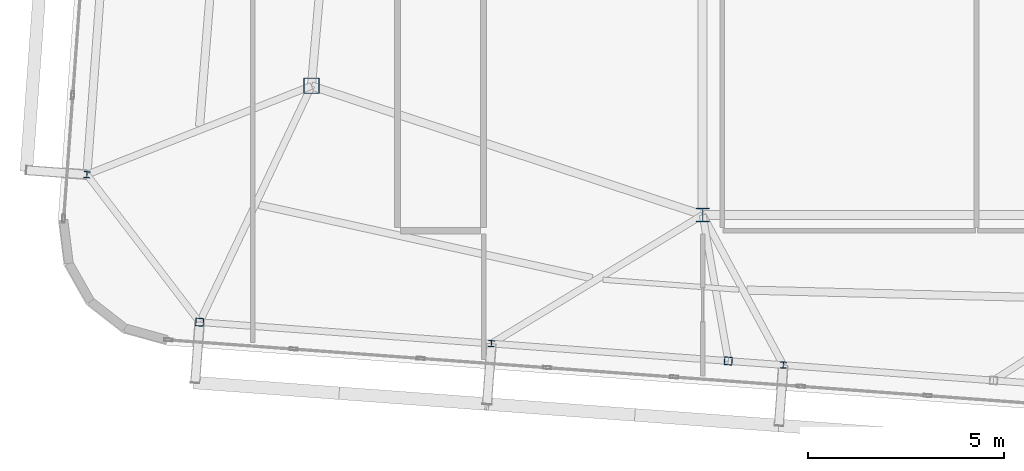
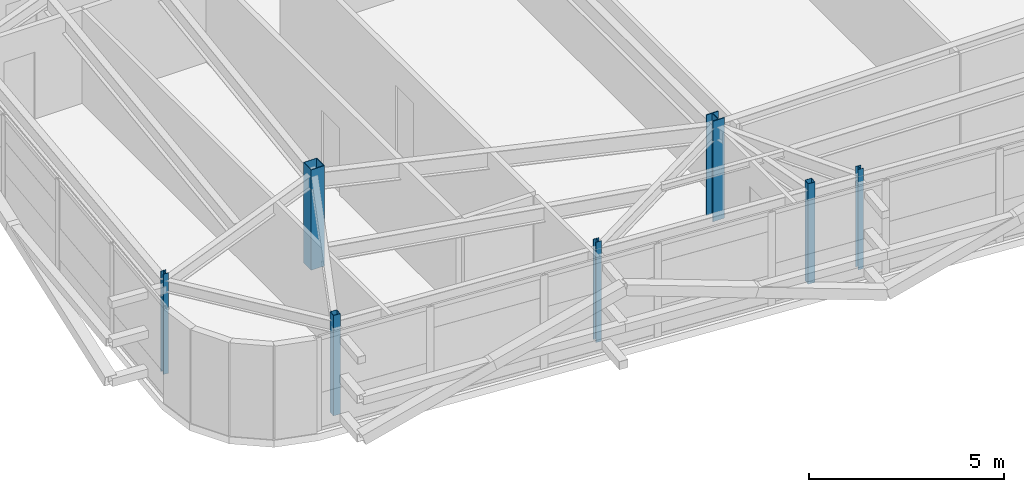
# One storey, part 1 of 42: 7 columns.
"""IFC4 building model written with IfcOpenShell, lengths in metres."""

import ifcopenshell
import ifcopenshell.guid

model = None  # the IFC model being written
_history = None  # IfcOwnerHistory: only IFC2X3 demands one
_inside = {}  # id of a spatial element -> (the spatial element, [elements in it])
_under = {}  # id of a project, library or spatial element -> (it, [spatial elements below it])
_declared = {}  # id of a project -> (the project, [libraries it declares])
_typed = {}  # id of a type object -> (the type object, [elements of that type])
_made_of = {}  # id of a material, layer set ... -> (it, [elements and type objects made of it])


def new_model(schema):
    """Start an empty IFC model of exactly this schema.

    Asked for "IFC4X3", IfcOpenShell would pick the latest addendum, in which some entities
    have other attributes; the version numbers below select the first issue.
    IFC2X3 requires an IfcOwnerHistory on every rooted entity: one is made here for all.
    """
    global model, _history
    if schema == "IFC4X3":
        model = ifcopenshell.file(schema_version=(4, 3, 0, 0))
    else:
        model = ifcopenshell.file(schema=schema)
    _inside.clear()
    _under.clear()
    _declared.clear()
    _typed.clear()
    _made_of.clear()
    _history = None
    if model.schema == "IFC2X3":
        org = make("IfcOrganization", Name="unknown")
        user = make(
            "IfcPersonAndOrganization",
            ThePerson=make("IfcPerson", FamilyName="unknown"),
            TheOrganization=org,
        )
        app = make(
            "IfcApplication",
            ApplicationDeveloper=org,
            Version="unknown",
            ApplicationFullName="unknown",
            ApplicationIdentifier="unknown",
        )
        _history = make(
            "IfcOwnerHistory",
            OwningUser=user,
            OwningApplication=app,
            ChangeAction="ADDED",
            CreationDate=0,
        )
    return model


def make(cls, **values):
    """One entity of the class cls with the attributes given. An attribute that is None is left unset."""
    return model.create_entity(
        cls, **{name: value for name, value in values.items() if value is not None}
    )


def rooted(cls, **values):
    """An entity with a GlobalId (a new one), such as an element, a storey or a relation."""
    return make(cls, GlobalId=ifcopenshell.guid.new(), OwnerHistory=_history, **values)


def si_unit(unit_type, name, prefix=None):
    """IfcSIUnit, for example si_unit("LENGTHUNIT", "METRE", prefix="MILLI")."""
    return make("IfcSIUnit", UnitType=unit_type, Prefix=prefix, Name=name)


def assignment(units):
    """IfcUnitAssignment: the units of a project."""
    return None if units is None else make("IfcUnitAssignment", Units=units)


def point(xyz):
    """IfcCartesianPoint."""
    return None if xyz is None else make("IfcCartesianPoint", Coordinates=xyz)


def direction(xyz):
    """IfcDirection."""
    return None if xyz is None else make("IfcDirection", DirectionRatios=xyz)


def frame(location, z_axis=None, x_axis=None):
    """IfcAxis2Placement3D, a coordinate frame: its origin and axes. An axis left out is left unset."""
    return make(
        "IfcAxis2Placement3D",
        Location=point(location),
        Axis=direction(z_axis),
        RefDirection=direction(x_axis),
    )


def frame_2d(location, x_axis=None):
    """IfcAxis2Placement2D, a coordinate frame in the plane: its origin and x axis."""
    return make(
        "IfcAxis2Placement2D", Location=point(location), RefDirection=direction(x_axis)
    )


def origin():
    """The frame at (0, 0, 0) with its axes left unset."""
    return frame((0.0, 0.0, 0.0))


def origin_2d():
    """The frame at (0, 0) in the plane with its x axis left unset."""
    return frame_2d((0.0, 0.0))


def place(relative_to, where):
    """IfcLocalPlacement: puts the frame where relative to a parent placement (None: the world)."""
    return make(
        "IfcLocalPlacement", PlacementRelTo=relative_to, RelativePlacement=where
    )


def context(
    kind, dimensions, precision=None, world=None, true_north=None, identifier=None
):
    """IfcGeometricRepresentationContext, for example the 3D "Model" context."""
    return make(
        "IfcGeometricRepresentationContext",
        ContextIdentifier=identifier,
        ContextType=kind,
        CoordinateSpaceDimension=dimensions,
        Precision=precision,
        WorldCoordinateSystem=world,
        TrueNorth=true_north,
    )


def subcontext(parent, identifier, kind, view, scale=None):
    """IfcGeometricRepresentationSubContext, for example "Body" below "Model"."""
    return make(
        "IfcGeometricRepresentationSubContext",
        ContextIdentifier=identifier,
        ContextType=kind,
        ParentContext=parent,
        TargetScale=scale,
        TargetView=view,
    )


def project(units=None, contexts=None):
    """IfcProject with its units and contexts."""
    return rooted(
        "IfcProject",
        Name="project",
        RepresentationContexts=contexts,
        UnitsInContext=assignment(units),
    )


def spatial(cls, under=None, at=None, **own):
    """A site, building, storey or space (cls), placed at a placement, below another one or the project."""
    s = rooted(cls, ObjectPlacement=at, **own)
    if under is not None:
        _under.setdefault(under.id(), (under, []))[1].append(s)
    return s


def profile(cls, at=None, kind="AREA", **sizes):
    """A parametric profile (cls). Its sizes go by their IFC names, for example OverallWidth=200.0."""
    return make(cls, ProfileType=kind, Position=at, **sizes)


def hollow_rectangle(**sizes):
    """IfcRectangleHollowProfileDef."""
    return profile("IfcRectangleHollowProfileDef", **sizes)


def i_section(**sizes):
    """IfcIShapeProfileDef."""
    return profile("IfcIShapeProfileDef", **sizes)


def extrude(swept, where, along, depth):
    """IfcExtrudedAreaSolid: the profile swept, set in the frame where, extruded along a direction by depth."""
    return make(
        "IfcExtrudedAreaSolid",
        SweptArea=swept,
        Position=where,
        ExtrudedDirection=direction(along),
        Depth=depth,
    )


def shape(context_of_items, identifier, shape_type, items):
    """IfcShapeRepresentation: the items that make up one representation, for example the "Body"."""
    return make(
        "IfcShapeRepresentation",
        ContextOfItems=context_of_items,
        RepresentationIdentifier=identifier,
        RepresentationType=shape_type,
        Items=items,
    )


def source(mapping_origin, context_of_items, identifier, shape_type, items):
    """IfcRepresentationMap: a shape defined once, which mapped items show again and again."""
    return make(
        "IfcRepresentationMap",
        MappingOrigin=mapping_origin,
        MappedRepresentation=shape(context_of_items, identifier, shape_type, items),
    )


def transform(
    local_origin,
    x_axis=None,
    y_axis=None,
    z_axis=None,
    scale=None,
    scale2=None,
    scale3=None,
    uniform=True,
):
    """IfcCartesianTransformationOperator3D, or its non-uniform kind. x_axis, y_axis, z_axis: its Axis1, 2, 3."""
    if uniform:
        return make(
            "IfcCartesianTransformationOperator3D",
            Axis1=direction(x_axis),
            Axis2=direction(y_axis),
            LocalOrigin=point(local_origin),
            Scale=scale,
            Axis3=direction(z_axis),
        )
    return make(
        "IfcCartesianTransformationOperator3DnonUniform",
        Axis1=direction(x_axis),
        Axis2=direction(y_axis),
        LocalOrigin=point(local_origin),
        Scale=scale,
        Axis3=direction(z_axis),
        Scale2=scale2,
        Scale3=scale3,
    )


def mapped(mapping_source, mapping_target):
    """IfcMappedItem: shows the shape of a source again, moved by a transform."""
    return make(
        "IfcMappedItem", MappingSource=mapping_source, MappingTarget=mapping_target
    )


def material(Name=None, Category=None):
    """IfcMaterial."""
    return make("IfcMaterial", Name=Name, Category=Category)


def material_profile(
    of_material, cross_section, Name=None, Category=None, Priority=None
):
    """IfcMaterialProfile: a cross section and its material."""
    return make(
        "IfcMaterialProfile",
        Name=Name,
        Material=of_material,
        Profile=cross_section,
        Priority=Priority,
        Category=Category,
    )


def profile_set(profiles, Name=None, composite=None):
    """IfcMaterialProfileSet."""
    return make(
        "IfcMaterialProfileSet",
        Name=Name,
        MaterialProfiles=profiles,
        CompositeProfile=composite,
    )


def made_of(thing, what):
    """Note that an element or type object is made of a material, layer set ...; save() writes the relation."""
    if what is not None:
        _made_of.setdefault(what.id(), (what, []))[1].append(thing)
    return thing


def type_object(cls, material=None, **own):
    """A type object (cls), such as IfcWallType, which elements share."""
    return made_of(rooted(cls, **own), material)


def element(
    cls,
    number,
    at=None,
    inside=None,
    cuts=None,
    type_object=None,
    material=None,
    context=None,
    identifier="Body",
    shape_type=None,
    held_by="IfcProductDefinitionShape",
    body=None,
    shapes=None,
    **own,
):
    """One element of the class cls, such as IfcWall. Its Tag is "e" and its number.

    at: its placement. inside: the storey or other place that contains it. cuts: it is an
    opening in that element (IfcRelVoidsElement). A single representation is given by context,
    identifier, shape_type and body (its items); several are given by shapes. held_by: the class
    of the entity that holds the representations. save() writes the other relations.
    """
    e = rooted(cls, Tag="e%d" % number, ObjectPlacement=at, **own)
    if body is not None:
        shapes = [shape(context, identifier, shape_type, body)]
    if shapes is not None:
        e.Representation = make(held_by, Representations=shapes)
    if inside is not None:
        _inside.setdefault(inside.id(), (inside, []))[1].append(e)
    if cuts is not None:
        rooted(
            "IfcRelVoidsElement", RelatingBuildingElement=cuts, RelatedOpeningElement=e
        )
    if type_object is not None:
        _typed.setdefault(type_object.id(), (type_object, []))[1].append(e)
    return made_of(e, material)


def aggregate(whole, parts):
    """IfcRelAggregates: a whole, such as a stair, and the parts it consists of."""
    return rooted("IfcRelAggregates", RelatingObject=whole, RelatedObjects=parts)


def save(model, path):
    """Write the relations noted so far, then the file.

    IfcRelAggregates (storeys below a building ...), IfcRelContainedInSpatialStructure (elements
    in a storey), IfcRelDefinesByType, IfcRelAssociatesMaterial and IfcRelDeclares: one each for
    every whole, place, type object, material and project.
    """
    for whole, parts in _under.values():
        aggregate(whole, parts)
    for where, things in _inside.values():
        rooted(
            "IfcRelContainedInSpatialStructure",
            RelatedElements=things,
            RelatingStructure=where,
        )
    for kind, things in _typed.values():
        rooted("IfcRelDefinesByType", RelatedObjects=things, RelatingType=kind)
    for what, things in _made_of.values():
        rooted("IfcRelAssociatesMaterial", RelatedObjects=things, RelatingMaterial=what)
    for by, libraries in _declared.values():
        rooted("IfcRelDeclares", RelatingContext=by, RelatedDefinitions=libraries)
    model.write(path)


model = new_model("IFC4")

# Units and contexts
model_context = context("Model", 3, precision=1e-05, world=origin(), true_north=direction((0.0, 1.0)))
body_context = subcontext(model_context, "Body", "Model", "MODEL_VIEW")
ifc_project = project(units=[si_unit("LENGTHUNIT", "METRE"), si_unit("AREAUNIT", "SQUARE_METRE"), si_unit("VOLUMEUNIT", "CUBIC_METRE"), si_unit("PLANEANGLEUNIT", "RADIAN"), si_unit("MASSUNIT", "GRAM", prefix="KILO")], contexts=[model_context])

# Site, building, storey
site_placement = place(None, origin())
site = spatial("IfcSite", under=ifc_project, at=site_placement, CompositionType="ELEMENT")
building_placement = place(site_placement, origin())
building = spatial("IfcBuilding", under=site, at=building_placement, Name="Taldren Reach Tower", CompositionType="ELEMENT")
storey_placement = place(building_placement, frame((0.0, 0.0, 217.699951171875)))
storey = spatial("IfcBuildingStorey", under=building, at=storey_placement, Name="L66", CompositionType="ELEMENT", Elevation=217.699951171875)

# Columns
ifc_material_1 = material(Name="Steel Gr 350 (350PLUS)", Category="steel")
ifc_material_profile_1 = material_profile(ifc_material_1, i_section(OverallWidth=0.35009765625, OverallDepth=0.35595703125, WebThickness=0.01806640625, FlangeThickness=0.028076171875, at=origin_2d()), Name="350WC197")
ifc_profile_set_1 = profile_set([ifc_material_profile_1], Name="Steel Gr 350 (350PLUS)")
column_type_1 = type_object("IfcColumnType", Name="COL-WC350", PredefinedType="COLUMN", material=ifc_profile_set_1)
shared_shape_1 = source(origin(), body_context, "Body", "SweptSolid", [
    extrude(i_section(OverallWidth=0.35009765625, OverallDepth=0.35595703125, WebThickness=0.01806640625, FlangeThickness=0.028076171875, at=origin_2d()), origin(), (0.0, 0.0, 1.0), 3.150146484375),
])
column_1_placement = place(storey_placement, frame((28.0, 9.199951171875, 0.0), z_axis=(0.0, 0.0, 1.0), x_axis=(1.0, 0.0, 0.0)))
element("IfcColumn", 1, at=column_1_placement, inside=storey, type_object=column_type_1, Name="Mega column MC-PJW L66", PredefinedType="COLUMN", context=body_context, shape_type="MappedRepresentation", body=[
    mapped(shared_shape_1, transform((0.0, 0.0, 0.0), scale=1.0)),
])
ifc_material_2 = material(Name="Steel Gr 450 (C450L0)", Category="steel")
ifc_material_profile_2 = material_profile(ifc_material_2, hollow_rectangle(XDim=0.39990234375, YDim=0.39990234375, WallThickness=0.01611328125, at=origin_2d()), Name="400x400x16.0SHS")
ifc_profile_set_2 = profile_set([ifc_material_profile_2], Name="Steel Gr 450 (C450L0)")
column_type_2 = type_object("IfcColumnType", Name="COL-SHS400", PredefinedType="COLUMN", material=ifc_profile_set_2)
shared_shape_2 = source(origin(), body_context, "Body", "SweptSolid", [
    extrude(hollow_rectangle(XDim=0.39990234375, YDim=0.39990234375, WallThickness=0.01611328125, at=origin_2d()), origin(), (0.0, 0.0, 1.0), 3.150146484375),
])
column_2_placement = place(storey_placement, frame((18.0, 12.5, 0.0), z_axis=(0.0, 0.0, 1.0), x_axis=(1.0, 0.0, 0.0)))
element("IfcColumn", 2, at=column_2_placement, inside=storey, type_object=column_type_2, Name="Mega column MC-SW L66", PredefinedType="COLUMN", context=body_context, shape_type="MappedRepresentation", body=[
    mapped(shared_shape_2, transform((0.0, 0.0, 0.0), scale=1.0)),
])
ifc_material_3 = material(Name="Steel Gr 350 (C350L0)", Category="steel")
ifc_material_profile_3 = material_profile(ifc_material_3, hollow_rectangle(XDim=0.199951171875, YDim=0.199951171875, WallThickness=0.009033203125, at=origin_2d()), Name="200x200x9.0SHS")
ifc_profile_set_3 = profile_set([ifc_material_profile_3], Name="Steel Gr 350 (C350L0)")
column_type_3 = type_object("IfcColumnType", Name="COL-SHS200", PredefinedType="COLUMN", material=ifc_profile_set_3)
shared_shape_3 = source(origin(), body_context, "Body", "SweptSolid", [
    extrude(hollow_rectangle(XDim=0.199951171875, YDim=0.199951171875, WallThickness=0.009033203125, at=origin_2d()), origin(), (0.0, 0.0, 1.0), 3.150146484375),
])
for number, where, z_axis, x_axis, name in (
    (3, (15.140625, 6.460205078125, 0.0), (0.0, 0.0, 1.0), (0.997314477224, -0.073238197128, 0.0), "Block B5 perimeter column S1 L66"),
    (4, (28.654296875, 5.4677734375, 0.0), (0.0, 0.0, 1.0), (0.997314477224, -0.073238197128, 0.0), "Block B5 perimeter column PJ1 L66"),
):
    element("IfcColumn", number, at=place(storey_placement, frame(where, z_axis=z_axis, x_axis=x_axis)), inside=storey, type_object=column_type_3, Name=name, PredefinedType="COLUMN", context=body_context, shape_type="MappedRepresentation", body=[
        mapped(shared_shape_3, transform((0.0, 0.0, 0.0), scale=1.0)),
    ])
ifc_material_profile_4 = material_profile(ifc_material_1, i_section(OverallWidth=0.154052734375, OverallDepth=0.162109375, WebThickness=0.008056640625, FlangeThickness=0.011474609375, at=origin_2d()), Name="150UC37.2")
ifc_profile_set_4 = profile_set([ifc_material_profile_4], Name="Steel Gr 350 (350PLUS)")
column_type_4 = type_object("IfcColumnType", Name="COL-UC150", PredefinedType="COLUMN", material=ifc_profile_set_4)
shared_shape_4 = source(origin(), body_context, "Body", "SweptSolid", [
    extrude(i_section(OverallWidth=0.154052734375, OverallDepth=0.162109375, WebThickness=0.008056640625, FlangeThickness=0.011474609375, at=origin_2d()), origin(), (0.0, 0.0, 1.0), 3.150146484375),
])
for number, where, z_axis, x_axis, name in (
    (5, (22.6005859375, 5.912353515625, 0.0), (0.0, 0.0, 1.0), (0.997314477224, -0.073238197128, 0.0), "Block B5 perimeter column S2 L66"),
    (6, (30.060546875, 5.364501953125, 0.0), (0.0, 0.0, 1.0), (0.997314477224, -0.073238197128, 0.0), "Block B5 perimeter column S3 L66"),
    (7, (12.259033203125, 10.2314453125, 0.0), (0.0, 0.0, 1.0), (0.997314477224, -0.073238197128, 0.0), "Block B5 perimeter column W1 L66"),
):
    element("IfcColumn", number, at=place(storey_placement, frame(where, z_axis=z_axis, x_axis=x_axis)), inside=storey, type_object=column_type_4, Name=name, PredefinedType="COLUMN", context=body_context, shape_type="MappedRepresentation", body=[
        mapped(shared_shape_4, transform((0.0, 0.0, 0.0), scale=1.0)),
    ])

save(model, "model.ifc")
